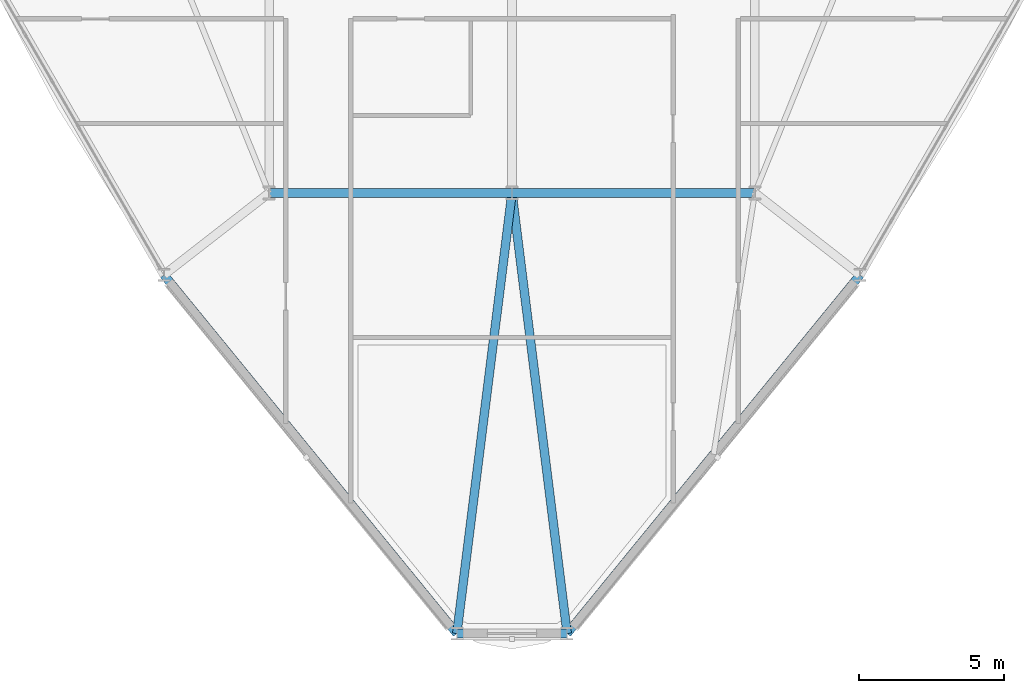
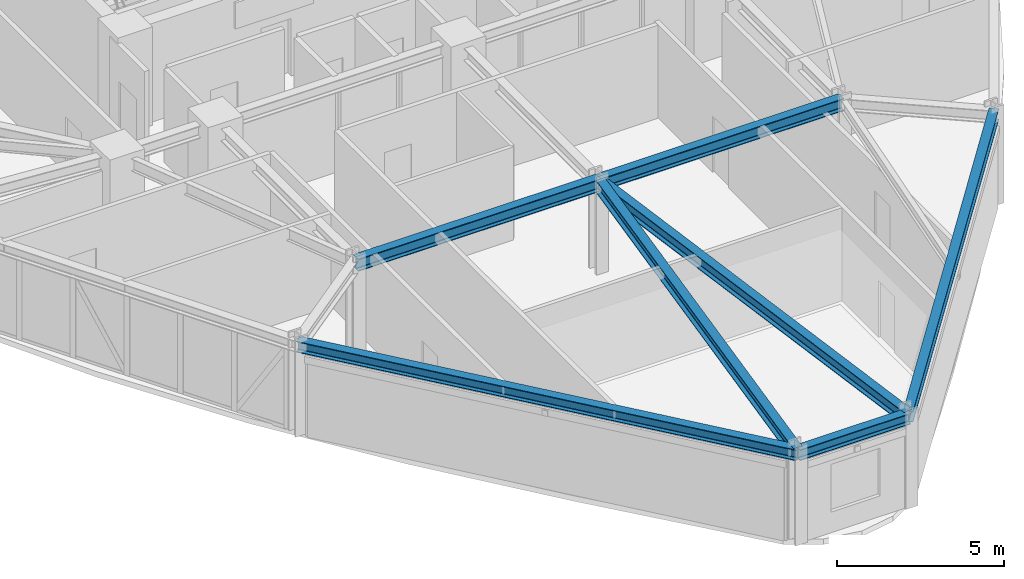
# One storey, part 3 of 17: 7 beams.
"""IFC4 building model written with IfcOpenShell, lengths in metres."""

from ifc_helpers import new_model, si_unit, derived_unit, direction, frame, origin, origin_2d, place, context, subcontext, project, spatial, i_section, extrude, source, transform, mapped, material, material_profile, profile_set, type_object, element, save


model = new_model("IFC4")

# Units and contexts
model_context = context("Model", 3, precision=1e-05, world=origin(), true_north=direction((0.0, 1.0)))
body_context = subcontext(model_context, "Body", "Model", "MODEL_VIEW")
ifc_project = project(units=[si_unit("LENGTHUNIT", "METRE"), si_unit("AREAUNIT", "SQUARE_METRE"), si_unit("VOLUMEUNIT", "CUBIC_METRE"), si_unit("PLANEANGLEUNIT", "RADIAN"), si_unit("MASSUNIT", "GRAM", prefix="KILO"), derived_unit("THERMALTRANSMITTANCEUNIT", [(si_unit("POWERUNIT", "WATT"), 1), (si_unit("LENGTHUNIT", "METRE"), -2), (si_unit("THERMODYNAMICTEMPERATUREUNIT", "KELVIN"), -1)])], contexts=[model_context])

# Site, building, storey
site_placement = place(None, origin())
site = spatial("IfcSite", under=ifc_project, at=site_placement, CompositionType="ELEMENT")
building_placement = place(site_placement, origin())
building = spatial("IfcBuilding", under=site, at=building_placement, Name="Korsvarv Bourse and Concert Hall", CompositionType="ELEMENT")
storey_placement = place(building_placement, frame((0.0, 0.0, 124.199951171875)))
storey = spatial("IfcBuildingStorey", under=building, at=storey_placement, Name="L31", CompositionType="ELEMENT", Elevation=124.199951171875)

# Beams
ifc_material = material(Name="Steel S355", Category="steel")
ifc_material_profile_1 = material_profile(ifc_material, i_section(OverallWidth=0.300048828125, OverallDepth=0.449951171875, WebThickness=0.013916015625, FlangeThickness=0.02587890625, FilletRadius=0.02099609375, at=origin_2d()), Name="HEB 450")
ifc_profile_set_1 = profile_set([ifc_material_profile_1], Name="Steel S355")
beam_type_1 = type_object("IfcBeamType", Name="BM-HEB450", PredefinedType="SPANDREL", material=ifc_profile_set_1)
shared_shape_1 = source(origin(), body_context, "Body", "SweptSolid", [
    extrude(i_section(OverallWidth=0.300048828125, OverallDepth=0.449951171875, WebThickness=0.013916015625, FlangeThickness=0.02587890625, FilletRadius=0.02099609375, at=origin_2d()), origin(), (0.0, 0.0, 1.0), 8.39990234375),
])
for number, where, z_axis, x_axis, name in (
    (1, (27.60009765625, 24.0, 3.175048828125), (1.0, 0.0, 0.0), (0.0, 1.0, 0.0), "L31 beam B-08"),
    (2, (36.0, 24.0, 3.175048828125), (1.0, 0.0, 0.0), (0.0, 1.0, 0.0), "L31 beam B-08"),
):
    element("IfcBeam", number, at=place(storey_placement, frame(where, z_axis=z_axis, x_axis=x_axis)), inside=storey, type_object=beam_type_1, Name=name, PredefinedType="SPANDREL", context=body_context, shape_type="MappedRepresentation", body=[
        mapped(shared_shape_1, transform((0.0, 0.0, 0.0), scale=1.0)),
    ])
ifc_material_profile_2 = material_profile(ifc_material, i_section(OverallWidth=0.300048828125, OverallDepth=0.39990234375, WebThickness=0.013427734375, FlangeThickness=0.02392578125, FilletRadius=0.02099609375, at=origin_2d()), Name="HEB 400")
ifc_profile_set_2 = profile_set([ifc_material_profile_2], Name="Steel S355")
beam_type_2 = type_object("IfcBeamType", Name="BM-HEB400", PredefinedType="SPANDREL", material=ifc_profile_set_2)
shared_shape_2 = source(origin(), body_context, "Body", "SweptSolid", [
    extrude(i_section(OverallWidth=0.300048828125, OverallDepth=0.39990234375, WebThickness=0.013427734375, FlangeThickness=0.02392578125, FilletRadius=0.02099609375, at=origin_2d()), origin(), (0.0, 0.0, 1.0), 3.81591796875),
])
beam_placement = place(storey_placement, frame((34.092041015625, 8.76318359375, 3.199951171875), z_axis=(1.0, 0.0, 0.0), x_axis=(0.0, 1.0, 0.0)))
element("IfcBeam", 3, at=beam_placement, inside=storey, type_object=beam_type_2, Name="L31 beam B-09", PredefinedType="SPANDREL", context=body_context, shape_type="MappedRepresentation", body=[
    mapped(shared_shape_2, transform((0.0, 0.0, 0.0), scale=1.0)),
])
shared_shape_3 = source(origin(), body_context, "Body", "SweptSolid", [
    extrude(i_section(OverallWidth=0.300048828125, OverallDepth=0.39990234375, WebThickness=0.013427734375, FlangeThickness=0.02392578125, FilletRadius=0.02099609375, at=origin_2d()), origin(), (0.0, 0.0, 1.0), 16.0146484375),
])
for number, where, z_axis, x_axis, name in (
    (4, (23.96240234375, 21.167236328125, 3.199951171875), (0.632521919704, -0.774542459194, 0.0), (0.774542459194, 0.632521919704, 0.0), "L31 beam B-09"),
    (5, (37.907958984375, 8.76318359375, 3.199951171875), (0.632521919704, 0.774542459194, 0.0), (-0.774542459194, 0.632521919704, 0.0), "L31 beam B-09"),
):
    element("IfcBeam", number, at=place(storey_placement, frame(where, z_axis=z_axis, x_axis=x_axis)), inside=storey, type_object=beam_type_2, Name=name, PredefinedType="SPANDREL", context=body_context, shape_type="MappedRepresentation", body=[
        mapped(shared_shape_3, transform((0.0, 0.0, 0.0), scale=1.0)),
    ])
shared_shape_4 = source(origin(), body_context, "Body", "SweptSolid", [
    extrude(i_section(OverallWidth=0.300048828125, OverallDepth=0.449951171875, WebThickness=0.013916015625, FlangeThickness=0.02587890625, FilletRadius=0.02099609375, at=origin_2d()), origin(), (0.0, 0.0, 1.0), 15.355712890625),
])
for number, where, z_axis, x_axis, name in (
    (6, (34.092041015625, 8.76318359375, 3.175048828125), (0.124249978447, 0.992250947521, 0.0), (-0.992250947521, 0.124249978447, 0.0), "L31 beam B-08"),
    (7, (37.907958984375, 8.76318359375, 3.175048828125), (-0.124249978447, 0.992250947521, 0.0), (-0.992250947521, -0.124249978447, 0.0), "L31 beam B-08"),
):
    element("IfcBeam", number, at=place(storey_placement, frame(where, z_axis=z_axis, x_axis=x_axis)), inside=storey, type_object=beam_type_1, Name=name, PredefinedType="SPANDREL", context=body_context, shape_type="MappedRepresentation", body=[
        mapped(shared_shape_4, transform((0.0, 0.0, 0.0), scale=1.0)),
    ])

save(model, "model.ifc")
